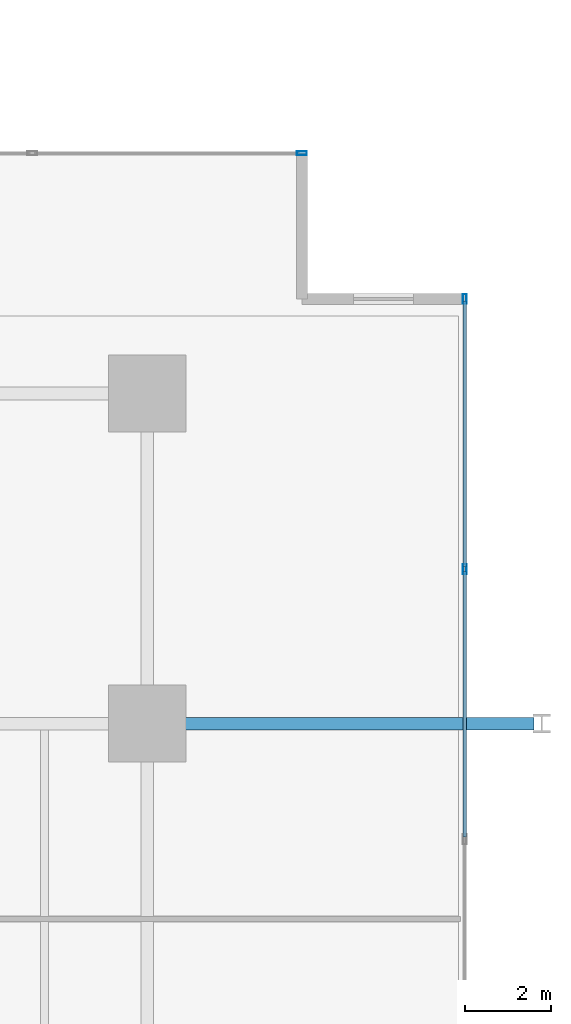
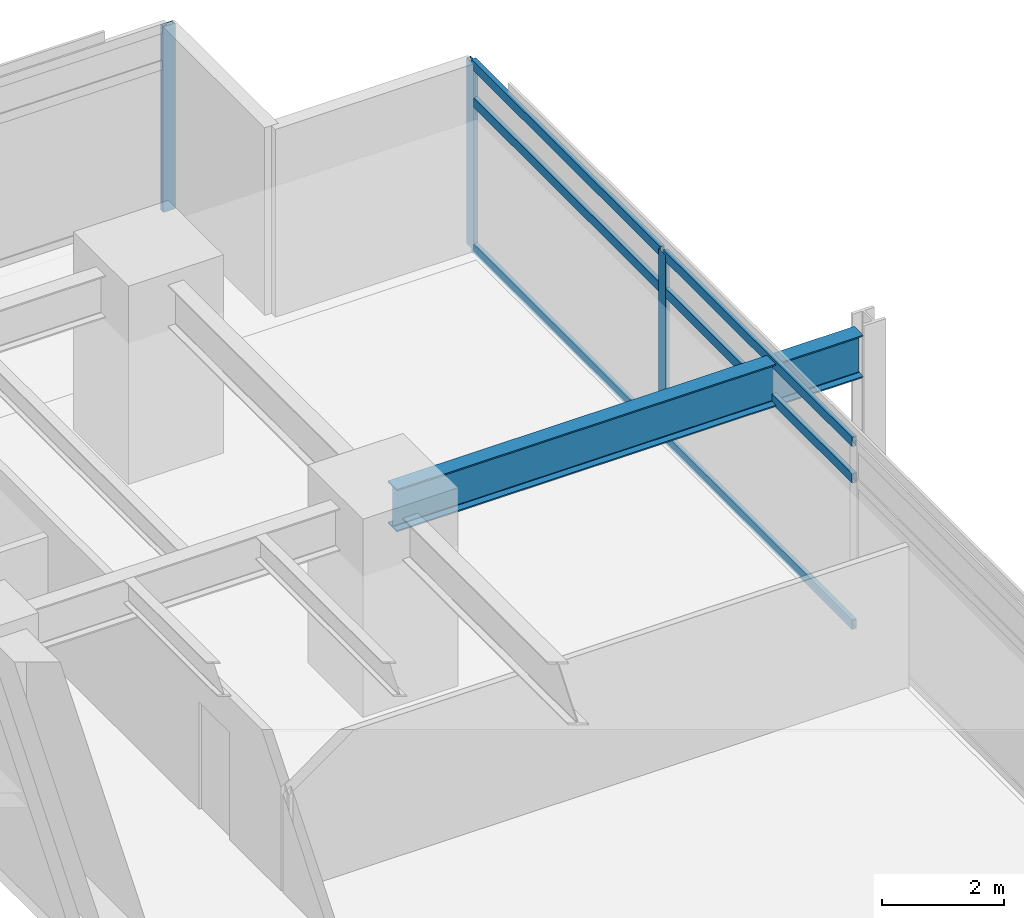
# One storey, part 12 of 22: 9 members, 1 beam, 2 elements without a shape of their own.
"""IFC4 building model written with IfcOpenShell, lengths in metres."""

from ifc_helpers import new_model, si_unit, direction, frame, origin, origin_2d, place, context, subcontext, project, spatial, hollow_rectangle, i_section, extrude, material, material_profile, profile_set, type_object, element, aggregate, save


model = new_model("IFC4")

# Units and contexts
model_context = context("Model", 3, precision=1e-05, world=origin(), true_north=direction((0.0, 1.0)))
body_context = subcontext(model_context, "Body", "Model", "MODEL_VIEW")
ifc_project = project(units=[si_unit("LENGTHUNIT", "METRE"), si_unit("AREAUNIT", "SQUARE_METRE"), si_unit("VOLUMEUNIT", "CUBIC_METRE"), si_unit("PLANEANGLEUNIT", "RADIAN"), si_unit("MASSUNIT", "GRAM", prefix="KILO")], contexts=[model_context])

# Site, building, storey
site_placement = place(None, origin())
site = spatial("IfcSite", under=ifc_project, at=site_placement, CompositionType="ELEMENT")
building_placement = place(site_placement, origin())
building = spatial("IfcBuilding", under=site, at=building_placement, Name="Kovane Verandah Tower", CompositionType="ELEMENT")
storey_placement = place(building_placement, frame((0.0, 0.0, 59.60009765625)))
storey = spatial("IfcBuildingStorey", under=building, at=storey_placement, Name="L13", CompositionType="ELEMENT", Elevation=59.60009765625)

# Beam
ifc_material_1 = material(Name="Steel S355", Category="steel")
ifc_material_profile_1 = material_profile(ifc_material_1, i_section(OverallWidth=0.293701171875, OverallDepth=0.850830078125, WebThickness=0.01611328125, FlangeThickness=0.02685546875, FilletRadius=0.017822265625, at=origin_2d()), Name="UB838x292x226")
ifc_profile_set_1 = profile_set([ifc_material_profile_1], Name="Steel S355")
beam_type = type_object("IfcBeamType", Name="BM-UB838x226", PredefinedType="BEAM", material=ifc_profile_set_1)
beam_placement = place(storey_placement, frame((58.580078125, 36.5, 3.33447265625), z_axis=(1.0, 0.0, 0.0), x_axis=(0.0, 1.0, 0.0)))
element("IfcBeam", 1, at=beam_placement, inside=storey, type_object=beam_type, Name="L13 Primary Tower Girder G-VE2", PredefinedType="BEAM", context=body_context, shape_type="SweptSolid", body=[
    extrude(i_section(OverallWidth=0.293701171875, OverallDepth=0.850830078125, WebThickness=0.01611328125, FlangeThickness=0.02685546875, FilletRadius=0.017822265625, at=origin_2d()), origin(), (0.0, 0.0, 1.0), 8.83984375),
])

# Curtain wall, members
ifc_material_2 = material(Name="Champagne Anodised Aluminium Frame with Low-E Clear Laminated Glass", Category="aluminium")
curtain_wall_type = type_object("IfcCurtainWallType", Name="CW-SYS-02-LOW", PredefinedType="NOTDEFINED", material=ifc_material_2)
curtain_wall_1_placement = place(storey_placement, origin())
curtain_wall_1 = element("IfcCurtainWall", 2, at=curtain_wall_1_placement, inside=storey, type_object=curtain_wall_type, Name="L13 E Unitised Curtain Wall", PredefinedType="NOTDEFINED")
ifc_material_3 = material(Name="Champagne Anodised Aluminium 6063-T6", Category="aluminium")
ifc_material_profile_2 = material_profile(ifc_material_3, hollow_rectangle(XDim=0.0849609375, YDim=0.22998046875, WallThickness=0.00390625, at=origin_2d()), Name="AL85x230x4")
ifc_profile_set_2 = profile_set([ifc_material_profile_2], Name="Champagne Anodised Aluminium 6063-T6")
member_type_1 = type_object("IfcMemberType", Name="CW-MUL-85x230", PredefinedType="MULLION", material=ifc_profile_set_2)
member_1_placement = place(storey_placement, frame((65.80517578125, 40.102294921875, 0.02001953125), z_axis=(0.0, 0.0, 1.0), x_axis=(1.0, 0.0, 0.0)))
member_1 = element("IfcMember", 3, at=member_1_placement, type_object=member_type_1, Name="L13 E Unitised Curtain Wall Mullion 6", PredefinedType="MULLION", context=body_context, shape_type="SweptSolid", body=[
    extrude(hollow_rectangle(XDim=0.0849609375, YDim=0.22998046875, WallThickness=0.00390625, at=origin_2d()), origin(), (0.0, 0.0, 1.0), 3.719970703125),
])
member_2_placement = place(storey_placement, frame((65.80517578125, 46.403564453125, 0.02001953125), z_axis=(0.0, 0.0, 1.0), x_axis=(1.0, 0.0, 0.0)))
member_2 = element("IfcMember", 4, at=member_2_placement, type_object=member_type_1, Name="L13 E Unitised Curtain Wall Mullion 7", PredefinedType="MULLION", context=body_context, shape_type="SweptSolid", body=[
    extrude(hollow_rectangle(XDim=0.0849609375, YDim=0.22998046875, WallThickness=0.00390625, at=origin_2d()), origin(), (0.0, 0.0, 1.0), 3.719970703125),
])

# Curtain wall, member
curtain_wall_2_placement = place(storey_placement, origin())
curtain_wall_2 = element("IfcCurtainWall", 5, at=curtain_wall_2_placement, inside=storey, type_object=curtain_wall_type, Name="L13 N Unitised Curtain Wall", PredefinedType="NOTDEFINED")
member_3_placement = place(storey_placement, frame((62.005126953125, 49.8037109375, 0.02001953125), z_axis=(0.0, 0.0, 1.0), x_axis=(0.0, 1.0, 0.0)))
member_3 = element("IfcMember", 6, at=member_3_placement, type_object=member_type_1, Name="L13 N Unitised Curtain Wall Mullion 1", PredefinedType="MULLION", context=body_context, shape_type="SweptSolid", body=[
    extrude(hollow_rectangle(XDim=0.0849609375, YDim=0.22998046875, WallThickness=0.00390625, at=origin_2d()), origin(), (0.0, 0.0, 1.0), 3.719970703125),
])
aggregate(curtain_wall_2, [member_3])

# Member
ifc_material_profile_3 = material_profile(ifc_material_3, hollow_rectangle(XDim=0.0849609375, YDim=0.18994140625, WallThickness=0.00390625, at=origin_2d()), Name="AL85x190x4")
ifc_profile_set_3 = profile_set([ifc_material_profile_3], Name="Champagne Anodised Aluminium 6063-T6")
member_type_2 = type_object("IfcMemberType", Name="CW-TRN-85x190", PredefinedType="USERDEFINED", material=ifc_profile_set_3)
member_4_placement = place(storey_placement, frame((65.80517578125, 33.851318359375, 0.0498046875), z_axis=(0.0, 1.0, 0.0), x_axis=(-1.0, 0.0, 0.0)))
member_4 = element("IfcMember", 7, at=member_4_placement, type_object=member_type_2, Name="L13 E Unitised Curtain Wall Transom TB Bay 5", ObjectType="TRANSOM", PredefinedType="USERDEFINED", context=body_context, shape_type="SweptSolid", body=[
    extrude(hollow_rectangle(XDim=0.0849609375, YDim=0.18994140625, WallThickness=0.00390625, at=origin_2d()), origin(), (0.0, 0.0, 1.0), 6.201171875),
])

member_5_placement = place(storey_placement, frame((65.80517578125, 33.851318359375, 2.97998046875), z_axis=(0.0, 1.0, 0.0), x_axis=(-1.0, 0.0, 0.0)))
member_5 = element("IfcMember", 8, at=member_5_placement, type_object=member_type_2, Name="L13 E Unitised Curtain Wall Transom TM Bay 5", ObjectType="TRANSOM", PredefinedType="USERDEFINED", context=body_context, shape_type="SweptSolid", body=[
    extrude(hollow_rectangle(XDim=0.0849609375, YDim=0.18994140625, WallThickness=0.00390625, at=origin_2d()), origin(), (0.0, 0.0, 1.0), 6.201171875),
])

member_6_placement = place(storey_placement, frame((65.80517578125, 33.851318359375, 3.7099609375), z_axis=(0.0, 1.0, 0.0), x_axis=(-1.0, 0.0, 0.0)))
member_6 = element("IfcMember", 9, at=member_6_placement, type_object=member_type_2, Name="L13 E Unitised Curtain Wall Transom TT Bay 5", ObjectType="TRANSOM", PredefinedType="USERDEFINED", context=body_context, shape_type="SweptSolid", body=[
    extrude(hollow_rectangle(XDim=0.0849609375, YDim=0.18994140625, WallThickness=0.00390625, at=origin_2d()), origin(), (0.0, 0.0, 1.0), 6.201171875),
])

member_7_placement = place(storey_placement, frame((65.80517578125, 40.15234375, 0.0498046875), z_axis=(0.0, 1.0, 0.0), x_axis=(-1.0, 0.0, 0.0)))
member_7 = element("IfcMember", 10, at=member_7_placement, type_object=member_type_2, Name="L13 E Unitised Curtain Wall Transom TB Bay 6", ObjectType="TRANSOM", PredefinedType="USERDEFINED", context=body_context, shape_type="SweptSolid", body=[
    extrude(hollow_rectangle(XDim=0.0849609375, YDim=0.18994140625, WallThickness=0.00390625, at=origin_2d()), origin(), (0.0, 0.0, 1.0), 6.201171875),
])

member_8_placement = place(storey_placement, frame((65.80517578125, 40.15234375, 2.97998046875), z_axis=(0.0, 1.0, 0.0), x_axis=(-1.0, 0.0, 0.0)))
member_8 = element("IfcMember", 11, at=member_8_placement, type_object=member_type_2, Name="L13 E Unitised Curtain Wall Transom TM Bay 6", ObjectType="TRANSOM", PredefinedType="USERDEFINED", context=body_context, shape_type="SweptSolid", body=[
    extrude(hollow_rectangle(XDim=0.0849609375, YDim=0.18994140625, WallThickness=0.00390625, at=origin_2d()), origin(), (0.0, 0.0, 1.0), 6.201171875),
])

member_9_placement = place(storey_placement, frame((65.80517578125, 40.15234375, 3.7099609375), z_axis=(0.0, 1.0, 0.0), x_axis=(-1.0, 0.0, 0.0)))
member_9 = element("IfcMember", 12, at=member_9_placement, type_object=member_type_2, Name="L13 E Unitised Curtain Wall Transom TT Bay 6", ObjectType="TRANSOM", PredefinedType="USERDEFINED", context=body_context, shape_type="SweptSolid", body=[
    extrude(hollow_rectangle(XDim=0.0849609375, YDim=0.18994140625, WallThickness=0.00390625, at=origin_2d()), origin(), (0.0, 0.0, 1.0), 6.201171875),
])

aggregate(curtain_wall_1, [member_1, member_2, member_4, member_5, member_6, member_7, member_8, member_9])

save(model, "model.ifc")
